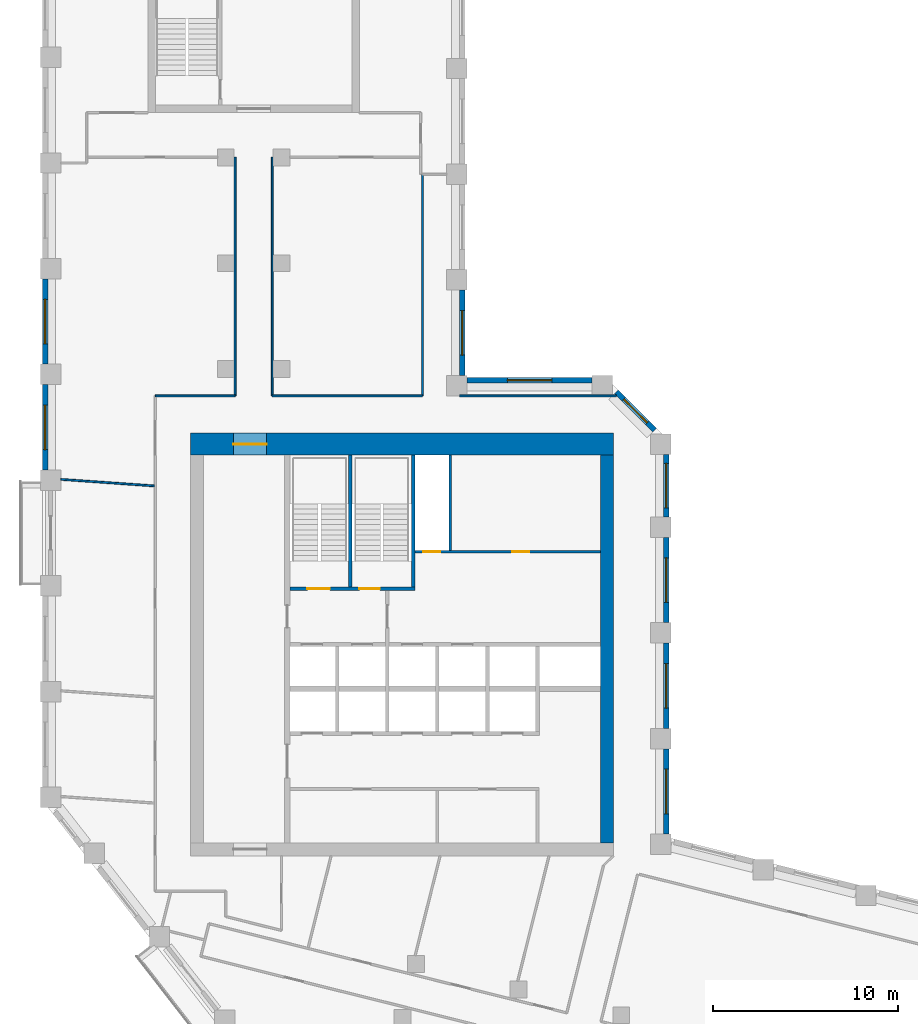
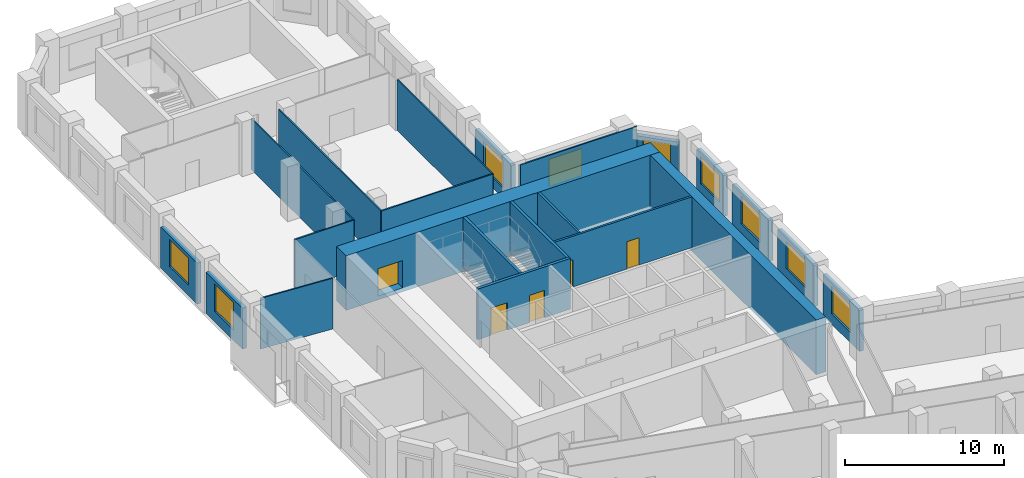
# One storey, part 6 of 10: 23 walls, 9 windows, 5 doors, 14 openings.
"""IFC4 building model written with IfcOpenShell, lengths in metres."""

from ifc_helpers import new_model, si_unit, direction, frame, frame_2d, origin, place, context, subcontext, project, spatial, rectangle, extrude, material, layer, layer_set, type_object, element, fill, save


model = new_model("IFC4")

# Units and contexts
model_context = context("Model", 3, precision=1e-05, world=origin(), true_north=direction((0.0, 1.0)))
body_context = subcontext(model_context, "Body", "Model", "MODEL_VIEW")
ifc_project = project(units=[si_unit("LENGTHUNIT", "METRE"), si_unit("AREAUNIT", "SQUARE_METRE"), si_unit("VOLUMEUNIT", "CUBIC_METRE"), si_unit("PLANEANGLEUNIT", "RADIAN"), si_unit("MASSUNIT", "GRAM", prefix="KILO")], contexts=[model_context])

# Site, building, storey
site_placement = place(None, origin())
site = spatial("IfcSite", under=ifc_project, at=site_placement, CompositionType="ELEMENT")
building_placement = place(site_placement, origin())
building = spatial("IfcBuilding", under=site, at=building_placement, Name="Meshkara Civic Tower", CompositionType="ELEMENT")
storey_placement = place(building_placement, frame((0.0, 0.0, 267.60009765625)))
storey = spatial("IfcBuildingStorey", under=building, at=storey_placement, Name="L61", CompositionType="ELEMENT", Elevation=267.60009765625)

# Wall, openings, doors
ifc_material_1 = material(Name="Blockwork", Category="masonry")
ifc_layer_1 = layer(ifc_material_1, 0.14990234375)
ifc_layer_set_1 = layer_set([ifc_layer_1], Name="Core partition 150")
wall_type_1 = type_object("IfcWallType", Name="Core partition 150", PredefinedType="PARTITIONING", material=ifc_layer_set_1)
wall_1_placement = place(storey_placement, frame((20.10009765625, 30.5, 0.0), z_axis=(0.0, 0.0, 1.0), x_axis=(1.0, 0.0, 0.0)))
wall_1 = element("IfcWall", 1, at=wall_1_placement, inside=storey, type_object=wall_type_1, Name="L61-C010", PredefinedType="PARTITIONING", context=body_context, shape_type="SweptSolid", body=[
    extrude(rectangle(XDim=10.0, YDim=0.14990234375, at=frame_2d((5.0, 0.0))), origin(), (0.0, 0.0, 1.0), 3.89990234375),
])
opening_1_placement = place(wall_1_placement, frame((0.449951171875, 0.0, 0.0)))
opening_1 = element("IfcOpeningElement", 2, at=opening_1_placement, cuts=wall_1, Name="Opening L61-K012", PredefinedType="OPENING", context=body_context, shape_type="SweptSolid", body=[
    extrude(rectangle(XDim=0.89990234375, YDim=2.10009765625, at=frame_2d((0.449951171875, 1.050048828125))), frame((0.0, 0.0849609375, 0.0), z_axis=(0.0, -1.0, 0.0), x_axis=(1.0, 0.0, 0.0)), (0.0, 0.0, 1.0), 0.169921875),
])
opening_2_placement = place(wall_1_placement, frame((5.25, 0.0, 0.0)))
opening_2 = element("IfcOpeningElement", 3, at=opening_2_placement, cuts=wall_1, Name="Opening L61-K013", PredefinedType="OPENING", context=body_context, shape_type="SweptSolid", body=[
    extrude(rectangle(XDim=0.89990234375, YDim=2.10009765625, at=frame_2d((0.449951171875, 1.050048828125))), frame((0.0, 0.0849609375, 0.0), z_axis=(0.0, -1.0, 0.0), x_axis=(1.0, 0.0, 0.0)), (0.0, 0.0, 1.0), 0.169921875),
])
ifc_material_2 = material(Name="Timber door leaf in steel frame", Category="steel")
door_type_1 = type_object("IfcDoorType", Name="Core room door 900", OperationType="SINGLE_SWING_LEFT", PredefinedType="DOOR", material=ifc_material_2)
door_1_placement = place(opening_2_placement, origin())
door_1 = element("IfcDoor", 4, at=door_1_placement, inside=storey, type_object=door_type_1, Name="L61-K013", OperationType="SINGLE_SWING_LEFT", OverallHeight=2.10009765625, OverallWidth=0.89990234375, PredefinedType="DOOR", context=body_context, shape_type="SweptSolid", body=[
    extrude(rectangle(XDim=0.89990234375, YDim=2.10009765625, at=frame_2d((0.449951171875, 1.050048828125))), frame((0.0, 0.02490234375, 0.0), z_axis=(0.0, -1.0, 0.0), x_axis=(1.0, 0.0, 0.0)), (0.0, 0.0, 1.0), 0.050048828125),
])
fill(opening_2, door_1)
ifc_material_3 = material(Name="Fire-rated door leaf in steel frame", Category="steel")
door_type_2 = type_object("IfcDoorType", Name="Riser door 900", OperationType="SINGLE_SWING_LEFT", PredefinedType="DOOR", material=ifc_material_3)
door_2_placement = place(opening_1_placement, origin())
door_2 = element("IfcDoor", 5, at=door_2_placement, inside=storey, type_object=door_type_2, Name="L61-K012", OperationType="SINGLE_SWING_RIGHT", OverallHeight=2.10009765625, OverallWidth=0.89990234375, PredefinedType="DOOR", context=body_context, shape_type="SweptSolid", body=[
    extrude(rectangle(XDim=0.89990234375, YDim=2.10009765625, at=frame_2d((0.449951171875, 1.050048828125))), frame((0.0, 0.02490234375, 0.0), z_axis=(0.0, -1.0, 0.0), x_axis=(1.0, 0.0, 0.0)), (0.0, 0.0, 1.0), 0.050048828125),
])
fill(opening_1, door_2)

# Wall
wall_2_placement = place(storey_placement, frame((22.0, 30.574951171875, 0.0), z_axis=(0.0, 0.0, 1.0), x_axis=(0.0, 1.0, 0.0)))
element("IfcWall", 6, at=wall_2_placement, inside=storey, type_object=wall_type_1, Name="L61-C018", PredefinedType="PARTITIONING", context=body_context, shape_type="SweptSolid", body=[
    extrude(rectangle(XDim=5.125, YDim=0.14990234375, at=frame_2d((2.5625, 0.0))), origin(), (0.0, 0.0, 1.0), 3.89990234375),
])

# Wall, opening, door
ifc_material_4 = material(Name="Concrete C60", Category="concrete")
ifc_layer_2 = layer(ifc_material_4, 1.199951171875)
ifc_layer_set_2 = layer_set([ifc_layer_2], Name="Core ring wall 1200 C60")
wall_type_2 = type_object("IfcWallType", Name="Core ring wall 1200 C60", PredefinedType="SHEAR", material=ifc_layer_set_2)
wall_3_placement = place(storey_placement, frame((8.0, 36.300048828125, -0.300048828125), z_axis=(0.0, 0.0, 1.0), x_axis=(1.0, 0.0, 0.0)))
wall_3 = element("IfcWall", 7, at=wall_3_placement, inside=storey, type_object=wall_type_2, Name="L61-C002", PredefinedType="SHEAR", context=body_context, shape_type="SweptSolid", body=[
    extrude(rectangle(XDim=22.800048828125, YDim=1.199951171875, at=frame_2d((11.39990234375, 0.0))), origin(), (0.0, 0.0, 1.0), 4.199951171875),
])
opening_3_placement = place(wall_3_placement, frame((2.300048828125, 0.0, 0.300048828125)))
opening_3 = element("IfcOpeningElement", 8, at=opening_3_placement, cuts=wall_3, Name="Opening L61-K019", PredefinedType="OPENING", context=body_context, shape_type="SweptSolid", body=[
    extrude(rectangle(XDim=1.800048828125, YDim=2.10009765625, at=frame_2d((0.89990234375, 1.050048828125))), frame((0.0, 0.60986328125, 0.0), z_axis=(0.0, -1.0, 0.0), x_axis=(1.0, 0.0, 0.0)), (0.0, 0.0, 1.0), 1.219970703125),
])
ifc_material_5 = material(Name="Fire-rated door leaf in steel frame", Category="steel")
door_type_3 = type_object("IfcDoorType", Name="Core double door 1800 EI 60", OperationType="DOUBLE_DOOR_SINGLE_SWING", PredefinedType="DOOR", material=ifc_material_5)
door_3_placement = place(opening_3_placement, origin())
door_3 = element("IfcDoor", 9, at=door_3_placement, inside=storey, type_object=door_type_3, Name="L61-K019", OperationType="DOUBLE_DOOR_SINGLE_SWING", OverallHeight=2.10009765625, OverallWidth=1.800048828125, PredefinedType="DOOR", context=body_context, shape_type="SweptSolid", body=[
    extrude(rectangle(XDim=1.800048828125, YDim=2.10009765625, at=frame_2d((0.89990234375, 1.050048828125))), frame((0.0, 0.02490234375, 0.0), z_axis=(0.0, -1.0, 0.0), x_axis=(1.0, 0.0, 0.0)), (0.0, 0.0, 1.0), 0.050048828125),
])
fill(opening_3, door_3)

# Walls
ifc_material_6 = material(Name="Concrete C60", Category="concrete")
ifc_layer_3 = layer(ifc_material_6, 0.699951171875)
ifc_layer_set_3 = layer_set([ifc_layer_3], Name="Core ring wall 700 C60")
wall_type_3 = type_object("IfcWallType", Name="Core ring wall 700 C60", PredefinedType="SHEAR", material=ifc_layer_set_3)
wall_4_placement = place(storey_placement, frame((30.449951171875, 14.800048828125, -0.300048828125), z_axis=(0.0, 0.0, 1.0), x_axis=(0.0, 1.0, 0.0)))
element("IfcWall", 10, at=wall_4_placement, inside=storey, type_object=wall_type_3, Name="L61-C004", PredefinedType="SHEAR", context=body_context, shape_type="SweptSolid", body=[
    extrude(rectangle(XDim=20.89990234375, YDim=0.699951171875, at=frame_2d((10.449951171875, 0.0))), origin(), (0.0, 0.0, 1.0), 4.199951171875),
])
ifc_material_7 = material(Name="Corridor wall 100")
ifc_layer_4 = layer(ifc_material_7, 0.10009765625)
ifc_layer_set_4 = layer_set([ifc_layer_4], Name="Corridor wall 100")
wall_type_4 = type_object("IfcWallType", Name="Corridor wall 100", PredefinedType="PARTITIONING", material=ifc_layer_set_4)
wall_5_placement = place(storey_placement, frame((10.39990234375, 38.89990234375, 0.0), z_axis=(0.0, 0.0, 1.0), x_axis=(-1.0, 0.0, 0.0)))
element("IfcWall", 11, at=wall_5_placement, inside=storey, type_object=wall_type_4, Name="L61-W011", PredefinedType="PARTITIONING", context=body_context, shape_type="SweptSolid", body=[
    extrude(rectangle(XDim=4.2998046875, YDim=0.10009765625, at=frame_2d((2.14990234375, 0.0))), origin(), (0.0, 0.0, 1.0), 3.89990234375),
])
for number, where, z_axis, x_axis, name in (
    (12, (10.39990234375, 51.77001953125, 0.0), (0.0, 0.0, 1.0), (0.0, -1.0, 0.0), "L61-W012"),
    (13, (12.39990234375, 38.89990234375, 0.0), (0.0, 0.0, 1.0), (0.0, 1.0, 0.0), "L61-W013"),
):
    element("IfcWall", number, at=place(storey_placement, frame(where, z_axis=z_axis, x_axis=x_axis)), inside=storey, type_object=wall_type_4, Name=name, PredefinedType="PARTITIONING", context=body_context, shape_type="SweptSolid", body=[
        extrude(rectangle(XDim=12.8701171875, YDim=0.10009765625, at=frame_2d((6.43505859375, 0.0))), origin(), (0.0, 0.0, 1.0), 3.89990234375),
    ])
wall_6_placement = place(storey_placement, frame((20.5, 38.89990234375, 0.0), z_axis=(0.0, 0.0, 1.0), x_axis=(-1.0, 0.0, 0.0)))
element("IfcWall", 14, at=wall_6_placement, inside=storey, type_object=wall_type_4, Name="L61-W018", PredefinedType="PARTITIONING", context=body_context, shape_type="SweptSolid", body=[
    extrude(rectangle(XDim=8.10009765625, YDim=0.10009765625, at=frame_2d((4.050048828125, 0.0))), origin(), (0.0, 0.0, 1.0), 3.89990234375),
])
wall_7_placement = place(storey_placement, frame((20.5, 50.85009765625, 0.0), z_axis=(0.0, 0.0, 1.0), x_axis=(0.0, -1.0, 0.0)))
element("IfcWall", 15, at=wall_7_placement, inside=storey, type_object=wall_type_4, Name="L61-W019", PredefinedType="PARTITIONING", context=body_context, shape_type="SweptSolid", body=[
    extrude(rectangle(XDim=11.9501953125, YDim=0.10009765625, at=frame_2d((5.97509765625, 0.0))), origin(), (0.0, 0.0, 1.0), 3.89990234375),
])
wall_8_placement = place(storey_placement, frame((30.9560546875, 38.89990234375, 0.0), z_axis=(0.0, 0.0, 1.0), x_axis=(-1.0, 0.0, 0.0)))
element("IfcWall", 16, at=wall_8_placement, inside=storey, type_object=wall_type_4, Name="L61-W025", PredefinedType="PARTITIONING", context=body_context, shape_type="SweptSolid", body=[
    extrude(rectangle(XDim=8.4560546875, YDim=0.10009765625, at=frame_2d((4.22802734375, 0.0))), origin(), (0.0, 0.0, 1.0), 3.89990234375),
])

# Wall, opening, window
ifc_material_8 = material(Name="Insulated infill panel with bronze anodised aluminium cladding", Category="aluminium")
ifc_layer_5 = layer(ifc_material_8, 0.300048828125)
ifc_layer_set_5 = layer_set([ifc_layer_5], Name="EXTERNAL INFILL WALL 300")
wall_type_5 = type_object("IfcWallType", Name="EXTERNAL INFILL WALL 300", PredefinedType="SOLIDWALL", material=ifc_layer_set_5)
wall_9_placement = place(storey_placement, frame((33.64990234375, 15.26904296875, 0.0), z_axis=(0.0, 0.0, 1.0), x_axis=(0.0, 1.0, 0.0)))
wall_9 = element("IfcWall", 17, at=wall_9_placement, inside=storey, type_object=wall_type_5, Name="External wall", PredefinedType="SOLIDWALL", context=body_context, shape_type="SweptSolid", body=[
    extrude(rectangle(XDim=4.599853515625, YDim=0.300048828125, at=frame_2d((2.2998046875, 0.0))), origin(), (0.0, 0.0, 1.0), 3.14990234375),
])
opening_4_placement = place(wall_9_placement, frame((1.10009765625, 0.0, 0.800048828125)))
opening_4 = element("IfcOpeningElement", 18, at=opening_4_placement, cuts=wall_9, Name="Opening W7", PredefinedType="OPENING", context=body_context, shape_type="SweptSolid", body=[
    extrude(rectangle(XDim=2.39990234375, YDim=2.10009765625, at=frame_2d((1.199951171875, 1.050048828125))), frame((0.0, 0.159912109375, 0.0), z_axis=(0.0, -1.0, 0.0), x_axis=(1.0, 0.0, 0.0)), (0.0, 0.0, 1.0), 0.320068359375),
])
ifc_material_9 = material(Name="Tinted double glazing", Category="glass")
window_type_1 = type_object("IfcWindowType", Name="WINDOW 2400x2100", PartitioningType="DOUBLE_PANEL_VERTICAL", PredefinedType="WINDOW", material=ifc_material_9)
window_1_placement = place(opening_4_placement, origin())
window_1 = element("IfcWindow", 19, at=window_1_placement, inside=storey, type_object=window_type_1, Name="Window", OverallHeight=2.10009765625, OverallWidth=2.39990234375, PartitioningType="DOUBLE_PANEL_VERTICAL", PredefinedType="WINDOW", context=body_context, shape_type="SweptSolid", body=[
    extrude(rectangle(XDim=2.39990234375, YDim=2.10009765625, at=frame_2d((1.199951171875, 1.050048828125))), frame((0.0, 0.030029296875, 0.0), z_axis=(0.0, -1.0, 0.0), x_axis=(1.0, 0.0, 0.0)), (0.0, 0.0, 1.0), 0.06005859375),
])
fill(opening_4, window_1)

wall_10_placement = place(storey_placement, frame((33.64990234375, 20.968994140625, 0.0), z_axis=(0.0, 0.0, 1.0), x_axis=(0.0, 1.0, 0.0)))
wall_10 = element("IfcWall", 20, at=wall_10_placement, inside=storey, type_object=wall_type_5, Name="External wall", PredefinedType="SOLIDWALL", context=body_context, shape_type="SweptSolid", body=[
    extrude(rectangle(XDim=4.60009765625, YDim=0.300048828125, at=frame_2d((2.300048828125, 0.0))), origin(), (0.0, 0.0, 1.0), 3.14990234375),
])
opening_5_placement = place(wall_10_placement, frame((1.10009765625, 0.0, 0.800048828125)))
opening_5 = element("IfcOpeningElement", 21, at=opening_5_placement, cuts=wall_10, Name="Opening W7", PredefinedType="OPENING", context=body_context, shape_type="SweptSolid", body=[
    extrude(rectangle(XDim=2.39990234375, YDim=2.10009765625, at=frame_2d((1.199951171875, 1.050048828125))), frame((0.0, 0.159912109375, 0.0), z_axis=(0.0, -1.0, 0.0), x_axis=(1.0, 0.0, 0.0)), (0.0, 0.0, 1.0), 0.320068359375),
])
window_2_placement = place(opening_5_placement, origin())
window_2 = element("IfcWindow", 22, at=window_2_placement, inside=storey, type_object=window_type_1, Name="Window", OverallHeight=2.10009765625, OverallWidth=2.39990234375, PartitioningType="DOUBLE_PANEL_VERTICAL", PredefinedType="WINDOW", context=body_context, shape_type="SweptSolid", body=[
    extrude(rectangle(XDim=2.39990234375, YDim=2.10009765625, at=frame_2d((1.199951171875, 1.050048828125))), frame((0.0, 0.030029296875, 0.0), z_axis=(0.0, -1.0, 0.0), x_axis=(1.0, 0.0, 0.0)), (0.0, 0.0, 1.0), 0.06005859375),
])
fill(opening_5, window_2)

wall_11_placement = place(storey_placement, frame((33.64990234375, 26.6689453125, 0.0), z_axis=(0.0, 0.0, 1.0), x_axis=(0.0, 1.0, 0.0)))
wall_11 = element("IfcWall", 23, at=wall_11_placement, inside=storey, type_object=wall_type_5, Name="External wall", PredefinedType="SOLIDWALL", context=body_context, shape_type="SweptSolid", body=[
    extrude(rectangle(XDim=4.60009765625, YDim=0.300048828125, at=frame_2d((2.300048828125, 0.0))), origin(), (0.0, 0.0, 1.0), 3.14990234375),
])
opening_6_placement = place(wall_11_placement, frame((1.10009765625, 0.0, 0.800048828125)))
opening_6 = element("IfcOpeningElement", 24, at=opening_6_placement, cuts=wall_11, Name="Opening W7", PredefinedType="OPENING", context=body_context, shape_type="SweptSolid", body=[
    extrude(rectangle(XDim=2.39990234375, YDim=2.10009765625, at=frame_2d((1.199951171875, 1.050048828125))), frame((0.0, 0.159912109375, 0.0), z_axis=(0.0, -1.0, 0.0), x_axis=(1.0, 0.0, 0.0)), (0.0, 0.0, 1.0), 0.320068359375),
])
window_3_placement = place(opening_6_placement, origin())
window_3 = element("IfcWindow", 25, at=window_3_placement, inside=storey, type_object=window_type_1, Name="Window", OverallHeight=2.10009765625, OverallWidth=2.39990234375, PartitioningType="DOUBLE_PANEL_VERTICAL", PredefinedType="WINDOW", context=body_context, shape_type="SweptSolid", body=[
    extrude(rectangle(XDim=2.39990234375, YDim=2.10009765625, at=frame_2d((1.199951171875, 1.050048828125))), frame((0.0, 0.030029296875, 0.0), z_axis=(0.0, -1.0, 0.0), x_axis=(1.0, 0.0, 0.0)), (0.0, 0.0, 1.0), 0.06005859375),
])
fill(opening_6, window_3)

wall_12_placement = place(storey_placement, frame((33.64990234375, 32.368896484375, 0.0), z_axis=(0.0, 0.0, 1.0), x_axis=(0.0, 1.0, 0.0)))
wall_12 = element("IfcWall", 26, at=wall_12_placement, inside=storey, type_object=wall_type_5, Name="External wall", PredefinedType="SOLIDWALL", context=body_context, shape_type="SweptSolid", body=[
    extrude(rectangle(XDim=3.375, YDim=0.300048828125, at=frame_2d((1.6875, 0.0))), origin(), (0.0, 0.0, 1.0), 3.14990234375),
])
opening_7_placement = place(wall_12_placement, frame((0.488037109375, 0.0, 0.800048828125)))
opening_7 = element("IfcOpeningElement", 27, at=opening_7_placement, cuts=wall_12, Name="Opening W7", PredefinedType="OPENING", context=body_context, shape_type="SweptSolid", body=[
    extrude(rectangle(XDim=2.39990234375, YDim=2.10009765625, at=frame_2d((1.199951171875, 1.050048828125))), frame((0.0, 0.159912109375, 0.0), z_axis=(0.0, -1.0, 0.0), x_axis=(1.0, 0.0, 0.0)), (0.0, 0.0, 1.0), 0.320068359375),
])
window_4_placement = place(opening_7_placement, origin())
window_4 = element("IfcWindow", 28, at=window_4_placement, inside=storey, type_object=window_type_1, Name="Window", OverallHeight=2.10009765625, OverallWidth=2.39990234375, PartitioningType="DOUBLE_PANEL_VERTICAL", PredefinedType="WINDOW", context=body_context, shape_type="SweptSolid", body=[
    extrude(rectangle(XDim=2.39990234375, YDim=2.10009765625, at=frame_2d((1.199951171875, 1.050048828125))), frame((0.0, 0.030029296875, 0.0), z_axis=(0.0, -1.0, 0.0), x_axis=(1.0, 0.0, 0.0)), (0.0, 0.0, 1.0), 0.06005859375),
])
fill(opening_7, window_4)

wall_13_placement = place(storey_placement, frame((33.011962890625, 37.055908203125, 0.0), z_axis=(0.0, 0.0, 1.0), x_axis=(-0.707064797706, 0.707148762175, 0.0)))
wall_13 = element("IfcWall", 29, at=wall_13_placement, inside=storey, type_object=wall_type_5, Name="External wall", PredefinedType="SOLIDWALL", context=body_context, shape_type="SweptSolid", body=[
    extrude(rectangle(XDim=2.90771484375, YDim=0.300048828125, at=frame_2d((1.453857421875, 0.0))), origin(), (0.0, 0.0, 1.0), 3.14990234375),
])
opening_8_placement = place(wall_13_placement, frame((0.553955078125, 0.0, 0.800048828125)))
opening_8 = element("IfcOpeningElement", 30, at=opening_8_placement, cuts=wall_13, Name="Opening W9", PredefinedType="OPENING", context=body_context, shape_type="SweptSolid", body=[
    extrude(rectangle(XDim=1.800048828125, YDim=2.10009765625, at=frame_2d((0.89990234375, 1.050048828125))), frame((0.0, 0.159912109375, 0.0), z_axis=(0.0, -1.0, 0.0), x_axis=(1.0, 0.0, 0.0)), (0.0, 0.0, 1.0), 0.320068359375),
])
ifc_material_10 = material(Name="Tinted double glazing", Category="glass")
window_type_2 = type_object("IfcWindowType", Name="WINDOW 1800x2100", PartitioningType="DOUBLE_PANEL_VERTICAL", PredefinedType="WINDOW", material=ifc_material_10)
window_5_placement = place(opening_8_placement, origin())
window_5 = element("IfcWindow", 31, at=window_5_placement, inside=storey, type_object=window_type_2, Name="Window", OverallHeight=2.10009765625, OverallWidth=1.800048828125, PartitioningType="DOUBLE_PANEL_VERTICAL", PredefinedType="WINDOW", context=body_context, shape_type="SweptSolid", body=[
    extrude(rectangle(XDim=1.800048828125, YDim=2.10009765625, at=frame_2d((0.89990234375, 1.050048828125))), frame((0.0, 0.030029296875, 0.0), z_axis=(0.0, -1.0, 0.0), x_axis=(1.0, 0.0, 0.0)), (0.0, 0.0, 1.0), 0.06005859375),
])
fill(opening_8, window_5)

wall_14_placement = place(storey_placement, frame((29.64404296875, 39.75, 0.0), z_axis=(0.0, 0.0, 1.0), x_axis=(-1.0, 0.0, 0.0)))
wall_14 = element("IfcWall", 32, at=wall_14_placement, inside=storey, type_object=wall_type_5, Name="External wall", PredefinedType="SOLIDWALL", context=body_context, shape_type="SweptSolid", body=[
    extrude(rectangle(XDim=6.744140625, YDim=0.300048828125, at=frame_2d((3.3720703125, 0.0))), origin(), (0.0, 0.0, 1.0), 3.14990234375),
])
opening_9_placement = place(wall_14_placement, frame((2.172119140625, 0.0, 0.800048828125)))
opening_9 = element("IfcOpeningElement", 33, at=opening_9_placement, cuts=wall_14, Name="Opening W7", PredefinedType="OPENING", context=body_context, shape_type="SweptSolid", body=[
    extrude(rectangle(XDim=2.39990234375, YDim=2.10009765625, at=frame_2d((1.199951171875, 1.050048828125))), frame((0.0, 0.159912109375, 0.0), z_axis=(0.0, -1.0, 0.0), x_axis=(1.0, 0.0, 0.0)), (0.0, 0.0, 1.0), 0.320068359375),
])
window_6_placement = place(opening_9_placement, origin())
window_6 = element("IfcWindow", 34, at=window_6_placement, inside=storey, type_object=window_type_1, Name="Window", OverallHeight=2.10009765625, OverallWidth=2.39990234375, PartitioningType="DOUBLE_PANEL_VERTICAL", PredefinedType="WINDOW", context=body_context, shape_type="SweptSolid", body=[
    extrude(rectangle(XDim=2.39990234375, YDim=2.10009765625, at=frame_2d((1.199951171875, 1.050048828125))), frame((0.0, 0.030029296875, 0.0), z_axis=(0.0, -1.0, 0.0), x_axis=(1.0, 0.0, 0.0)), (0.0, 0.0, 1.0), 0.06005859375),
])
fill(opening_9, window_6)

wall_15_placement = place(storey_placement, frame((22.64990234375, 40.0, 0.0), z_axis=(0.0, 0.0, 1.0), x_axis=(0.0, 1.0, 0.0)))
wall_15 = element("IfcWall", 35, at=wall_15_placement, inside=storey, type_object=wall_type_5, Name="External wall", PredefinedType="SOLIDWALL", context=body_context, shape_type="SweptSolid", body=[
    extrude(rectangle(XDim=4.60009765625, YDim=0.300048828125, at=frame_2d((2.300048828125, 0.0))), origin(), (0.0, 0.0, 1.0), 3.14990234375),
])
opening_10_placement = place(wall_15_placement, frame((1.10009765625, 0.0, 0.800048828125)))
opening_10 = element("IfcOpeningElement", 36, at=opening_10_placement, cuts=wall_15, Name="Opening W7", PredefinedType="OPENING", context=body_context, shape_type="SweptSolid", body=[
    extrude(rectangle(XDim=2.39990234375, YDim=2.10009765625, at=frame_2d((1.199951171875, 1.050048828125))), frame((0.0, 0.159912109375, 0.0), z_axis=(0.0, -1.0, 0.0), x_axis=(1.0, 0.0, 0.0)), (0.0, 0.0, 1.0), 0.320068359375),
])
window_7_placement = place(opening_10_placement, origin())
window_7 = element("IfcWindow", 37, at=window_7_placement, inside=storey, type_object=window_type_1, Name="Window", OverallHeight=2.10009765625, OverallWidth=2.39990234375, PartitioningType="DOUBLE_PANEL_VERTICAL", PredefinedType="WINDOW", context=body_context, shape_type="SweptSolid", body=[
    extrude(rectangle(XDim=2.39990234375, YDim=2.10009765625, at=frame_2d((1.199951171875, 1.050048828125))), frame((0.0, 0.030029296875, 0.0), z_axis=(0.0, -1.0, 0.0), x_axis=(1.0, 0.0, 0.0)), (0.0, 0.0, 1.0), 0.06005859375),
])
fill(opening_10, window_7)

wall_16_placement = place(storey_placement, frame((0.14990234375, 45.205078125, 0.0), z_axis=(0.0, 0.0, 1.0), x_axis=(0.0, -1.0, 0.0)))
wall_16 = element("IfcWall", 38, at=wall_16_placement, inside=storey, type_object=wall_type_5, Name="External wall", PredefinedType="SOLIDWALL", context=body_context, shape_type="SweptSolid", body=[
    extrude(rectangle(XDim=4.60009765625, YDim=0.300048828125, at=frame_2d((2.300048828125, 0.0))), origin(), (0.0, 0.0, 1.0), 3.14990234375),
])
opening_11_placement = place(wall_16_placement, frame((1.10009765625, 0.0, 0.800048828125)))
opening_11 = element("IfcOpeningElement", 39, at=opening_11_placement, cuts=wall_16, Name="Opening W7", PredefinedType="OPENING", context=body_context, shape_type="SweptSolid", body=[
    extrude(rectangle(XDim=2.39990234375, YDim=2.10009765625, at=frame_2d((1.199951171875, 1.050048828125))), frame((0.0, 0.159912109375, 0.0), z_axis=(0.0, -1.0, 0.0), x_axis=(1.0, 0.0, 0.0)), (0.0, 0.0, 1.0), 0.320068359375),
])
window_8_placement = place(opening_11_placement, origin())
window_8 = element("IfcWindow", 40, at=window_8_placement, inside=storey, type_object=window_type_1, Name="Window", OverallHeight=2.10009765625, OverallWidth=2.39990234375, PartitioningType="DOUBLE_PANEL_VERTICAL", PredefinedType="WINDOW", context=body_context, shape_type="SweptSolid", body=[
    extrude(rectangle(XDim=2.39990234375, YDim=2.10009765625, at=frame_2d((1.199951171875, 1.050048828125))), frame((0.0, 0.030029296875, 0.0), z_axis=(0.0, -1.0, 0.0), x_axis=(1.0, 0.0, 0.0)), (0.0, 0.0, 1.0), 0.06005859375),
])
fill(opening_11, window_8)

wall_17_placement = place(storey_placement, frame((0.14990234375, 39.5048828125, 0.0), z_axis=(0.0, 0.0, 1.0), x_axis=(0.0, -1.0, 0.0)))
wall_17 = element("IfcWall", 41, at=wall_17_placement, inside=storey, type_object=wall_type_5, Name="External wall", PredefinedType="SOLIDWALL", context=body_context, shape_type="SweptSolid", body=[
    extrude(rectangle(XDim=4.599853515625, YDim=0.300048828125, at=frame_2d((2.2998046875, 0.0))), origin(), (0.0, 0.0, 1.0), 3.14990234375),
])
opening_12_placement = place(wall_17_placement, frame((1.10009765625, 0.0, 0.800048828125)))
opening_12 = element("IfcOpeningElement", 42, at=opening_12_placement, cuts=wall_17, Name="Opening W7", PredefinedType="OPENING", context=body_context, shape_type="SweptSolid", body=[
    extrude(rectangle(XDim=2.39990234375, YDim=2.10009765625, at=frame_2d((1.199951171875, 1.050048828125))), frame((0.0, 0.159912109375, 0.0), z_axis=(0.0, -1.0, 0.0), x_axis=(1.0, 0.0, 0.0)), (0.0, 0.0, 1.0), 0.320068359375),
])
window_9_placement = place(opening_12_placement, origin())
window_9 = element("IfcWindow", 43, at=window_9_placement, inside=storey, type_object=window_type_1, Name="Window", OverallHeight=2.10009765625, OverallWidth=2.39990234375, PartitioningType="DOUBLE_PANEL_VERTICAL", PredefinedType="WINDOW", context=body_context, shape_type="SweptSolid", body=[
    extrude(rectangle(XDim=2.39990234375, YDim=2.10009765625, at=frame_2d((1.199951171875, 1.050048828125))), frame((0.0, 0.030029296875, 0.0), z_axis=(0.0, -1.0, 0.0), x_axis=(1.0, 0.0, 0.0)), (0.0, 0.0, 1.0), 0.06005859375),
])
fill(opening_12, window_9)

# Wall
ifc_material_11 = material(Name="Partition 100")
ifc_layer_6 = layer(ifc_material_11, 0.10009765625)
ifc_layer_set_6 = layer_set([ifc_layer_6], Name="Partition 100")
wall_type_6 = type_object("IfcWallType", Name="Partition 100", PredefinedType="PARTITIONING", material=ifc_layer_set_6)
wall_18_placement = place(storey_placement, frame((6.047119140625, 34.0439453125, 0.0), z_axis=(0.0, 0.0, 1.0), x_axis=(-0.9975626968, 0.06977582642, 0.0)))
element("IfcWall", 44, at=wall_18_placement, inside=storey, type_object=wall_type_6, Name="L61-W038", PredefinedType="PARTITIONING", context=body_context, shape_type="SweptSolid", body=[
    extrude(rectangle(XDim=5.0595703125, YDim=0.10009765625, at=frame_2d((2.52978515625, 0.0))), origin(), (0.0, 0.0, 1.0), 3.89990234375),
])

# Wall, openings, doors
ifc_material_12 = material(Name="Concrete C40/50", Category="concrete")
ifc_layer_7 = layer(ifc_material_12, 0.199951171875)
ifc_layer_set_7 = layer_set([ifc_layer_7], Name="Stair enclosure wall 200 C40/50")
wall_type_7 = type_object("IfcWallType", Name="Stair enclosure wall 200 C40/50", PredefinedType="SOLIDWALL", material=ifc_layer_set_7)
wall_19_placement = place(storey_placement, frame((13.35009765625, 28.5, 0.0), z_axis=(0.0, 0.0, 1.0), x_axis=(1.0, 0.0, 0.0)))
wall_19 = element("IfcWall", 45, at=wall_19_placement, inside=storey, type_object=wall_type_7, Name="L61-C009", PredefinedType="SOLIDWALL", context=body_context, shape_type="SweptSolid", body=[
    extrude(rectangle(XDim=6.75, YDim=0.199951171875, at=frame_2d((3.375, 0.0))), origin(), (0.0, 0.0, 1.0), 3.89990234375),
])
opening_13_placement = place(wall_19_placement, frame((0.949951171875, 0.0, 0.0)))
opening_13 = element("IfcOpeningElement", 46, at=opening_13_placement, cuts=wall_19, Name="Opening L61-K014", PredefinedType="OPENING", context=body_context, shape_type="SweptSolid", body=[
    extrude(rectangle(XDim=1.199951171875, YDim=2.10009765625, at=frame_2d((0.60009765625, 1.050048828125))), frame((0.0, 0.10986328125, 0.0), z_axis=(0.0, -1.0, 0.0), x_axis=(1.0, 0.0, 0.0)), (0.0, 0.0, 1.0), 0.219970703125),
])
opening_14_placement = place(wall_19_placement, frame((3.75, 0.0, 0.0)))
opening_14 = element("IfcOpeningElement", 47, at=opening_14_placement, cuts=wall_19, Name="Opening L61-K015", PredefinedType="OPENING", context=body_context, shape_type="SweptSolid", body=[
    extrude(rectangle(XDim=1.10009765625, YDim=2.10009765625, at=frame_2d((0.550048828125, 1.050048828125))), frame((0.0, 0.10986328125, 0.0), z_axis=(0.0, -1.0, 0.0), x_axis=(1.0, 0.0, 0.0)), (0.0, 0.0, 1.0), 0.219970703125),
])
ifc_material_13 = material(Name="Fire-rated door leaf in steel frame", Category="steel")
door_type_4 = type_object("IfcDoorType", Name="Stair door 1100 EI 120", OperationType="SINGLE_SWING_LEFT", PredefinedType="DOOR", material=ifc_material_13)
door_4_placement = place(opening_14_placement, origin())
door_4 = element("IfcDoor", 48, at=door_4_placement, inside=storey, type_object=door_type_4, Name="L61-K015", OperationType="SINGLE_SWING_LEFT", OverallHeight=2.10009765625, OverallWidth=1.10009765625, PredefinedType="DOOR", context=body_context, shape_type="SweptSolid", body=[
    extrude(rectangle(XDim=1.10009765625, YDim=2.10009765625, at=frame_2d((0.550048828125, 1.050048828125))), frame((0.0, 0.02490234375, 0.0), z_axis=(0.0, -1.0, 0.0), x_axis=(1.0, 0.0, 0.0)), (0.0, 0.0, 1.0), 0.050048828125),
])
fill(opening_14, door_4)
ifc_material_14 = material(Name="Fire-rated door leaf in steel frame", Category="steel")
door_type_5 = type_object("IfcDoorType", Name="Stair door 1200 EI 120", OperationType="SINGLE_SWING_LEFT", PredefinedType="DOOR", material=ifc_material_14)
door_5_placement = place(opening_13_placement, origin())
door_5 = element("IfcDoor", 49, at=door_5_placement, inside=storey, type_object=door_type_5, Name="L61-K014", OperationType="SINGLE_SWING_RIGHT", OverallHeight=2.10009765625, OverallWidth=1.199951171875, PredefinedType="DOOR", context=body_context, shape_type="SweptSolid", body=[
    extrude(rectangle(XDim=1.199951171875, YDim=2.10009765625, at=frame_2d((0.60009765625, 1.050048828125))), frame((0.0, 0.02490234375, 0.0), z_axis=(0.0, -1.0, 0.0), x_axis=(1.0, 0.0, 0.0)), (0.0, 0.0, 1.0), 0.050048828125),
])
fill(opening_13, door_5)

# Walls
for number, where, z_axis, x_axis, name in (
    (50, (16.60009765625, 28.60009765625, 0.0), (0.0, 0.0, 1.0), (0.0, 1.0, 0.0), "L61-C013"),
    (51, (20.0, 28.60009765625, 0.0), (0.0, 0.0, 1.0), (0.0, 1.0, 0.0), "L61-C015"),
):
    element("IfcWall", number, at=place(storey_placement, frame(where, z_axis=z_axis, x_axis=x_axis)), inside=storey, type_object=wall_type_7, Name=name, PredefinedType="SOLIDWALL", context=body_context, shape_type="SweptSolid", body=[
        extrude(rectangle(XDim=7.099853515625, YDim=0.199951171875, at=frame_2d((3.5498046875, 0.0))), origin(), (0.0, 0.0, 1.0), 3.89990234375),
    ])

save(model, "model.ifc")
